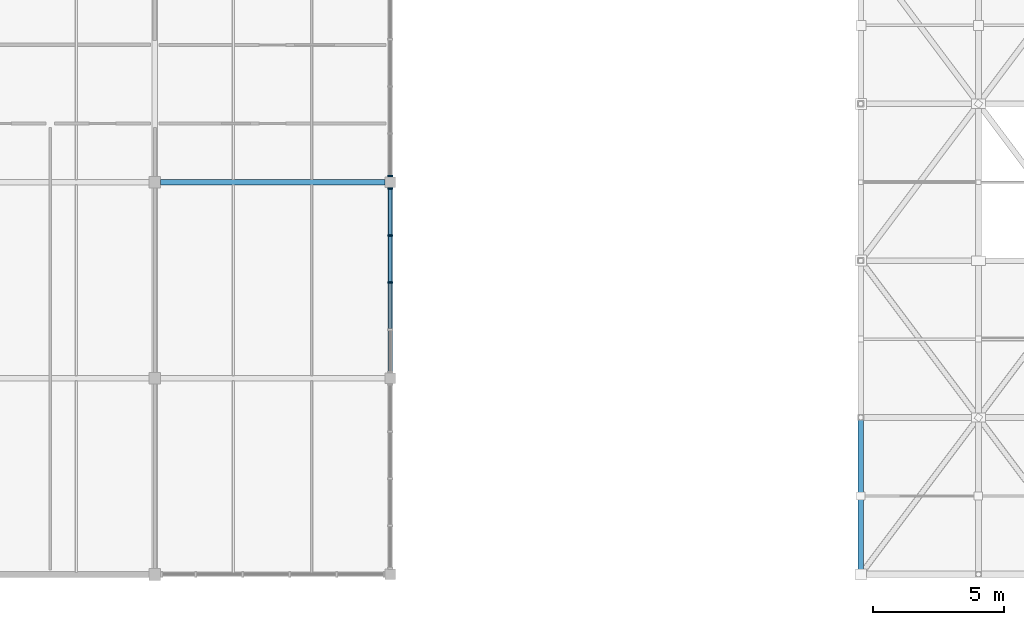
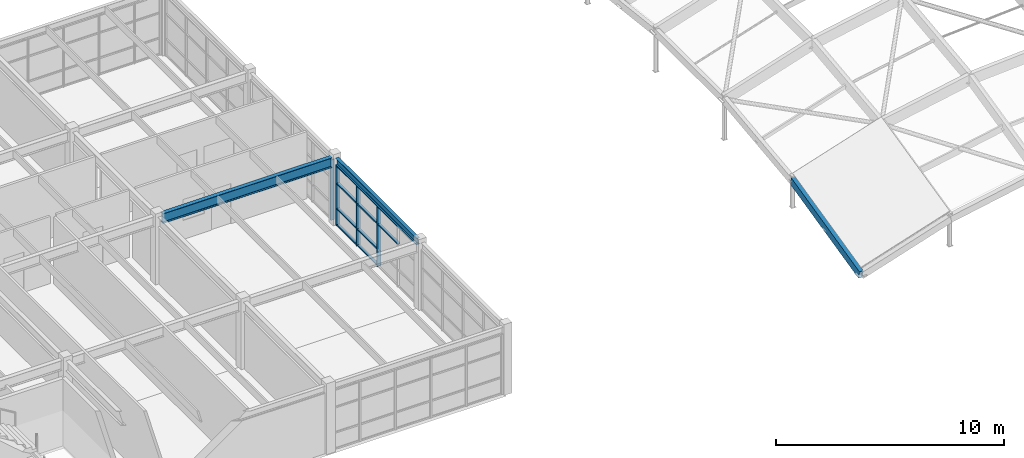
# One storey, part 6 of 81: 15 members, 2 beams, 2 elements without a shape of their own.
"""IFC4 building model written with IfcOpenShell, lengths in metres."""

from ifc_helpers import new_model, si_unit, direction, frame, origin, origin_2d, place, context, subcontext, project, spatial, rectangle, hollow_rectangle, i_section, extrude, material, layer, layer_set, material_profile, profile_set, type_object, element, aggregate, save


model = new_model("IFC4")

# Units and contexts
model_context = context("Model", 3, precision=1e-05, world=origin(), true_north=direction((0.0, 1.0)))
body_context = subcontext(model_context, "Body", "Model", "MODEL_VIEW")
ifc_project = project(units=[si_unit("LENGTHUNIT", "METRE"), si_unit("AREAUNIT", "SQUARE_METRE"), si_unit("VOLUMEUNIT", "CUBIC_METRE"), si_unit("PLANEANGLEUNIT", "RADIAN"), si_unit("MASSUNIT", "GRAM", prefix="KILO")], contexts=[model_context])

# Site, building, storey
site_placement = place(None, origin())
site = spatial("IfcSite", under=ifc_project, at=site_placement, CompositionType="ELEMENT")
building_placement = place(site_placement, origin())
building = spatial("IfcBuilding", under=site, at=building_placement, Name="Marnridge Secondary College", CompositionType="ELEMENT")
storey_placement = place(building_placement, frame((0.0, 0.0, 8.5)))
storey = spatial("IfcBuildingStorey", under=building, at=storey_placement, Name="L02", CompositionType="ELEMENT", Elevation=8.5)

# Beams
ifc_material_1 = material(Name="Structural steel Grade 350 (AS/NZS 3679.1/.2, fy = 340-360 MPa)", Category="steel")
ifc_material_profile_1 = material_profile(ifc_material_1, i_section(OverallWidth=0.1708984375, OverallDepth=0.35205078125, WebThickness=0.0068359375, FlangeThickness=0.009765625, FilletRadius=0.011474609375, at=origin_2d()), Name="360UB44.7")
ifc_profile_set_1 = profile_set([ifc_material_profile_1], Name="Structural steel Grade 350 (AS/NZS 3679.1/.2, fy = 340-360 MPa)")
beam_type_1 = type_object("IfcBeamType", Name="BM-UB360-EXT", PredefinedType="SPANDREL", material=ifc_profile_set_1)
beam_1_placement = place(storey_placement, frame((45.0, 7.694091796875, 3.4140625), z_axis=(0.0, 1.0, 0.0), x_axis=(-1.0, 0.0, 0.0)))
element("IfcBeam", 1, at=beam_1_placement, inside=storey, type_object=beam_type_1, Name="Beam BS-L02-0985", PredefinedType="SPANDREL", context=body_context, shape_type="SweptSolid", body=[
    extrude(i_section(OverallWidth=0.1708984375, OverallDepth=0.35205078125, WebThickness=0.0068359375, FlangeThickness=0.009765625, FilletRadius=0.011474609375, at=origin_2d()), origin(), (0.0, 0.0, 1.0), 7.11181640625),
])
ifc_material_2 = material(Name="Structural steel Grade 350 (AS/NZS 3679.1/.2, fy = 340-360 MPa)", Category="steel")
ifc_material_profile_2 = material_profile(ifc_material_2, i_section(OverallWidth=0.209228515625, OverallDepth=0.532958984375, WebThickness=0.01025390625, FlangeThickness=0.015625, FilletRadius=0.013916015625, at=origin_2d()), Name="530UB92.4")
ifc_profile_set_2 = profile_set([ifc_material_profile_2], Name="Structural steel Grade 350 (AS/NZS 3679.1/.2, fy = 340-360 MPa)")
beam_type_2 = type_object("IfcBeamType", Name="BM-UB530A-INT", PredefinedType="BEAM", material=ifc_profile_set_2)
beam_2_placement = place(storey_placement, frame((36.218994140625, 15.0, 3.323486328125), z_axis=(1.0, 0.0, 0.0), x_axis=(0.0, 1.0, 0.0)))
element("IfcBeam", 2, at=beam_2_placement, inside=storey, type_object=beam_type_2, Name="Beam B-L02-0984", PredefinedType="BEAM", context=body_context, shape_type="SweptSolid", body=[
    extrude(i_section(OverallWidth=0.209228515625, OverallDepth=0.532958984375, WebThickness=0.01025390625, FlangeThickness=0.015625, FilletRadius=0.013916015625, at=origin_2d()), origin(), (0.0, 0.0, 1.0), 8.5869140625),
])

# Curtain wall, member
ifc_material_3 = material(Name="Bronze-anodised aluminium and solar-control glazing", Category="aluminium")
ifc_layer = layer(ifc_material_3, 0.199951171875)
ifc_layer_set = layer_set([ifc_layer], Name="CW-MOD-1800")
curtain_wall_type = type_object("IfcCurtainWallType", Name="CW-MOD-1800", PredefinedType="NOTDEFINED", material=ifc_layer_set)
curtain_wall_1_placement = place(storey_placement, origin())
curtain_wall_1 = element("IfcCurtainWall", 3, at=curtain_wall_1_placement, inside=storey, type_object=curtain_wall_type, Name="Unitised curtain wall CW-L02-107", PredefinedType="NOTDEFINED")
ifc_material_4 = material(Name="Bronze-anodised aluminium 6063-T6", Category="aluminium")
ifc_material_profile_3 = material_profile(ifc_material_4, rectangle(XDim=0.070068359375, YDim=0.199951171875, at=origin_2d()), Name="ALU 70x200")
ifc_profile_set_3 = profile_set([ifc_material_profile_3], Name="Bronze-anodised aluminium 6063-T6")
member_type_1 = type_object("IfcMemberType", Name="CWM-ALU200", PredefinedType="MULLION", material=ifc_profile_set_3)
member_1_placement = place(storey_placement, frame((45.0, 15.239013671875, 0.0), z_axis=(0.0, 0.0, 1.0), x_axis=(0.0, -1.0, 0.0)))
member_1 = element("IfcMember", 4, at=member_1_placement, type_object=member_type_1, Name="CW-L02-107 mullion 5", PredefinedType="MULLION", context=body_context, shape_type="SweptSolid", body=[
    extrude(rectangle(XDim=0.070068359375, YDim=0.199951171875, at=origin_2d()), origin(), (0.0, 0.0, 1.0), 3.22998046875),
])
aggregate(curtain_wall_1, [member_1])

# Curtain wall, members
curtain_wall_2_placement = place(storey_placement, origin())
curtain_wall_2 = element("IfcCurtainWall", 5, at=curtain_wall_2_placement, inside=storey, type_object=curtain_wall_type, Name="Unitised curtain wall CW-L02-108", PredefinedType="NOTDEFINED")
member_2_placement = place(storey_placement, frame((45.0, 14.760986328125, 0.0), z_axis=(0.0, 0.0, 1.0), x_axis=(0.0, -1.0, 0.0)))
member_2 = element("IfcMember", 6, at=member_2_placement, type_object=member_type_1, Name="CW-L02-108 mullion 1", PredefinedType="MULLION", context=body_context, shape_type="SweptSolid", body=[
    extrude(rectangle(XDim=0.070068359375, YDim=0.199951171875, at=origin_2d()), origin(), (0.0, 0.0, 1.0), 3.22998046875),
])
member_3_placement = place(storey_placement, frame((45.0, 12.9609375, 0.0), z_axis=(0.0, 0.0, 1.0), x_axis=(0.0, -1.0, 0.0)))
member_3 = element("IfcMember", 7, at=member_3_placement, type_object=member_type_1, Name="CW-L02-108 mullion 2", PredefinedType="MULLION", context=body_context, shape_type="SweptSolid", body=[
    extrude(rectangle(XDim=0.070068359375, YDim=0.199951171875, at=origin_2d()), origin(), (0.0, 0.0, 1.0), 3.22998046875),
])
member_4_placement = place(storey_placement, frame((45.0, 11.160888671875, 0.0), z_axis=(0.0, 0.0, 1.0), x_axis=(0.0, -1.0, 0.0)))
member_4 = element("IfcMember", 8, at=member_4_placement, type_object=member_type_1, Name="CW-L02-108 mullion 3", PredefinedType="MULLION", context=body_context, shape_type="SweptSolid", body=[
    extrude(rectangle(XDim=0.070068359375, YDim=0.199951171875, at=origin_2d()), origin(), (0.0, 0.0, 1.0), 3.22998046875),
])
ifc_material_5 = material(Name="Anodised aluminium 6063-T6", Category="aluminium")
ifc_material_profile_4 = material_profile(ifc_material_5, rectangle(XDim=0.06494140625, YDim=0.139892578125, at=origin_2d()), Name="ALU 65x140")
ifc_profile_set_4 = profile_set([ifc_material_profile_4], Name="Anodised aluminium 6063-T6")
member_type_2 = type_object("IfcMemberType", Name="CWT-ALU140", PredefinedType="USERDEFINED", material=ifc_profile_set_4)
member_5_placement = place(storey_placement, frame((45.0, 14.72607421875, 0.032470703125), z_axis=(0.0, -1.0, 0.0), x_axis=(0.0, 0.0, 1.0)))
member_5 = element("IfcMember", 9, at=member_5_placement, type_object=member_type_2, Name="CW-L02-108 transom 1.1", ObjectType="TRANSOM", PredefinedType="USERDEFINED", context=body_context, shape_type="SweptSolid", body=[
    extrude(rectangle(XDim=0.06494140625, YDim=0.139892578125, at=origin_2d()), origin(), (0.0, 0.0, 1.0), 1.72998046875),
])
member_6_placement = place(storey_placement, frame((45.0, 14.72607421875, 0.89990234375), z_axis=(0.0, -1.0, 0.0), x_axis=(0.0, 0.0, 1.0)))
member_6 = element("IfcMember", 10, at=member_6_placement, type_object=member_type_2, Name="CW-L02-108 transom 1.2", ObjectType="TRANSOM", PredefinedType="USERDEFINED", context=body_context, shape_type="SweptSolid", body=[
    extrude(rectangle(XDim=0.06494140625, YDim=0.139892578125, at=origin_2d()), origin(), (0.0, 0.0, 1.0), 1.72998046875),
])
member_7_placement = place(storey_placement, frame((45.0, 14.72607421875, 2.25), z_axis=(0.0, -1.0, 0.0), x_axis=(0.0, 0.0, 1.0)))
member_7 = element("IfcMember", 11, at=member_7_placement, type_object=member_type_2, Name="CW-L02-108 transom 1.3", ObjectType="TRANSOM", PredefinedType="USERDEFINED", context=body_context, shape_type="SweptSolid", body=[
    extrude(rectangle(XDim=0.06494140625, YDim=0.139892578125, at=origin_2d()), origin(), (0.0, 0.0, 1.0), 1.72998046875),
])
member_8_placement = place(storey_placement, frame((45.0, 14.72607421875, 3.197509765625), z_axis=(0.0, -1.0, 0.0), x_axis=(0.0, 0.0, 1.0)))
member_8 = element("IfcMember", 12, at=member_8_placement, type_object=member_type_2, Name="CW-L02-108 transom 1.4", ObjectType="TRANSOM", PredefinedType="USERDEFINED", context=body_context, shape_type="SweptSolid", body=[
    extrude(rectangle(XDim=0.06494140625, YDim=0.139892578125, at=origin_2d()), origin(), (0.0, 0.0, 1.0), 1.72998046875),
])
member_9_placement = place(storey_placement, frame((45.0, 12.926025390625, 0.032470703125), z_axis=(0.0, -1.0, 0.0), x_axis=(0.0, 0.0, 1.0)))
member_9 = element("IfcMember", 13, at=member_9_placement, type_object=member_type_2, Name="CW-L02-108 transom 2.1", ObjectType="TRANSOM", PredefinedType="USERDEFINED", context=body_context, shape_type="SweptSolid", body=[
    extrude(rectangle(XDim=0.06494140625, YDim=0.139892578125, at=origin_2d()), origin(), (0.0, 0.0, 1.0), 1.72998046875),
])
member_10_placement = place(storey_placement, frame((45.0, 12.926025390625, 0.89990234375), z_axis=(0.0, -1.0, 0.0), x_axis=(0.0, 0.0, 1.0)))
member_10 = element("IfcMember", 14, at=member_10_placement, type_object=member_type_2, Name="CW-L02-108 transom 2.2", ObjectType="TRANSOM", PredefinedType="USERDEFINED", context=body_context, shape_type="SweptSolid", body=[
    extrude(rectangle(XDim=0.06494140625, YDim=0.139892578125, at=origin_2d()), origin(), (0.0, 0.0, 1.0), 1.72998046875),
])
member_11_placement = place(storey_placement, frame((45.0, 12.926025390625, 2.25), z_axis=(0.0, -1.0, 0.0), x_axis=(0.0, 0.0, 1.0)))
member_11 = element("IfcMember", 15, at=member_11_placement, type_object=member_type_2, Name="CW-L02-108 transom 2.3", ObjectType="TRANSOM", PredefinedType="USERDEFINED", context=body_context, shape_type="SweptSolid", body=[
    extrude(rectangle(XDim=0.06494140625, YDim=0.139892578125, at=origin_2d()), origin(), (0.0, 0.0, 1.0), 1.72998046875),
])
member_12_placement = place(storey_placement, frame((45.0, 12.926025390625, 3.197509765625), z_axis=(0.0, -1.0, 0.0), x_axis=(0.0, 0.0, 1.0)))
member_12 = element("IfcMember", 16, at=member_12_placement, type_object=member_type_2, Name="CW-L02-108 transom 2.4", ObjectType="TRANSOM", PredefinedType="USERDEFINED", context=body_context, shape_type="SweptSolid", body=[
    extrude(rectangle(XDim=0.06494140625, YDim=0.139892578125, at=origin_2d()), origin(), (0.0, 0.0, 1.0), 1.72998046875),
])
member_13_placement = place(storey_placement, frame((45.0, 11.1259765625, 2.25), z_axis=(0.0, -1.0, 0.0), x_axis=(0.0, 0.0, 1.0)))
member_13 = element("IfcMember", 17, at=member_13_placement, type_object=member_type_2, Name="CW-L02-108 transom 3.3", ObjectType="TRANSOM", PredefinedType="USERDEFINED", context=body_context, shape_type="SweptSolid", body=[
    extrude(rectangle(XDim=0.06494140625, YDim=0.139892578125, at=origin_2d()), origin(), (0.0, 0.0, 1.0), 1.72998046875),
])
member_14_placement = place(storey_placement, frame((45.0, 11.1259765625, 3.197509765625), z_axis=(0.0, -1.0, 0.0), x_axis=(0.0, 0.0, 1.0)))
member_14 = element("IfcMember", 18, at=member_14_placement, type_object=member_type_2, Name="CW-L02-108 transom 3.4", ObjectType="TRANSOM", PredefinedType="USERDEFINED", context=body_context, shape_type="SweptSolid", body=[
    extrude(rectangle(XDim=0.06494140625, YDim=0.139892578125, at=origin_2d()), origin(), (0.0, 0.0, 1.0), 1.72998046875),
])
aggregate(curtain_wall_2, [member_2, member_3, member_4, member_5, member_6, member_7, member_8, member_9, member_10, member_11, member_12, member_13, member_14])

# Member
ifc_material_6 = material(Name="Cold-formed steel Grade C350L0 (AS/NZS 1163, fy = 350 MPa)", Category="steel")
ifc_material_profile_5 = material_profile(ifc_material_6, hollow_rectangle(XDim=0.199951171875, YDim=0.39990234375, WallThickness=0.010009765625, at=origin_2d()), Name="400x200x10.0RHS")
ifc_profile_set_5 = profile_set([ifc_material_profile_5], Name="Cold-formed steel Grade C350L0 (AS/NZS 1163, fy = 350 MPa)")
member_type_3 = type_object("IfcMemberType", Name="MB-GS-RHS400", PredefinedType="CHORD", material=ifc_profile_set_5)
member_15_placement = place(storey_placement, frame((63.0, 0.0, 0.0), z_axis=(0.0, 0.973554667504, 0.228454173482), x_axis=(-1.0, 0.0, 0.0)))
element("IfcMember", 19, at=member_15_placement, inside=storey, type_object=member_type_3, Name="Gridshell member GR-0140", PredefinedType="CHORD", context=body_context, shape_type="SweptSolid", body=[
    extrude(hollow_rectangle(XDim=0.199951171875, YDim=0.39990234375, WallThickness=0.010009765625, at=origin_2d()), origin(), (0.0, 0.0, 1.0), 6.1630859375),
])

save(model, "model.ifc")
